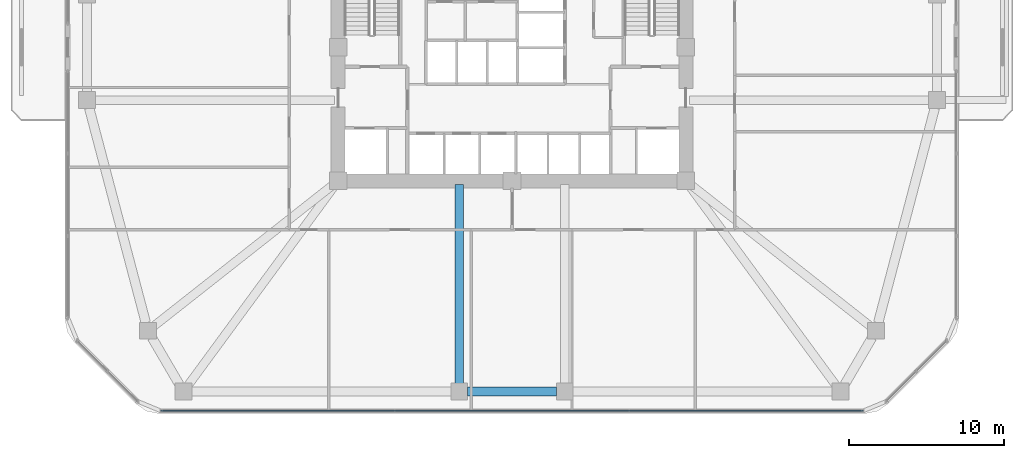
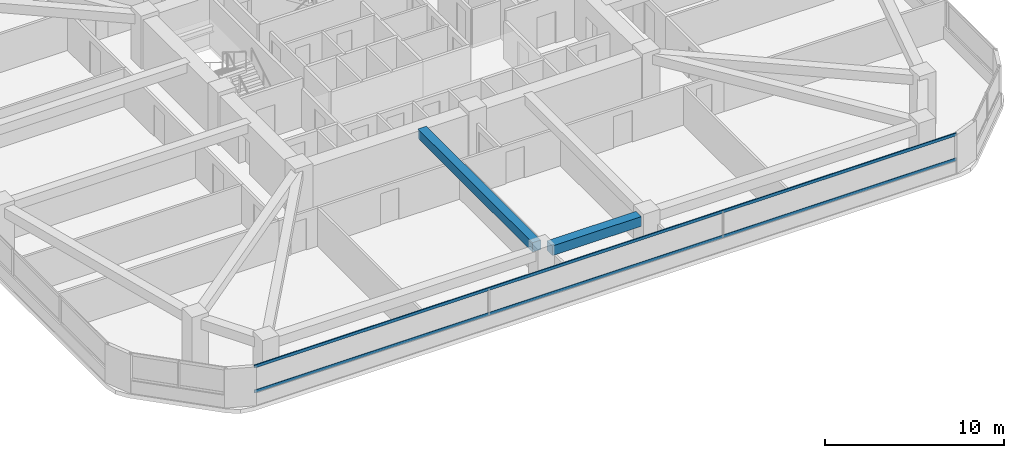
# One storey, part 3 of 15: 2 beams, 2 members, 1 element without a shape of its own.
"""IFC4 building model written with IfcOpenShell, lengths in metres."""

from ifc_helpers import new_model, si_unit, derived_unit, direction, frame, origin, origin_2d, place, context, subcontext, project, spatial, rectangle, extrude, material, material_profile, profile_set, type_object, element, aggregate, save


model = new_model("IFC4")

# Units and contexts
model_context = context("Model", 3, precision=1e-05, world=origin(), true_north=direction((0.0, 1.0)))
body_context = subcontext(model_context, "Body", "Model", "MODEL_VIEW")
ifc_project = project(units=[si_unit("LENGTHUNIT", "METRE"), si_unit("AREAUNIT", "SQUARE_METRE"), si_unit("VOLUMEUNIT", "CUBIC_METRE"), si_unit("PLANEANGLEUNIT", "RADIAN"), si_unit("MASSUNIT", "GRAM", prefix="KILO"), derived_unit("THERMALTRANSMITTANCEUNIT", [(si_unit("POWERUNIT", "WATT"), 1), (si_unit("LENGTHUNIT", "METRE"), -2), (si_unit("THERMODYNAMICTEMPERATUREUNIT", "KELVIN"), -1)])], contexts=[model_context])

# Site, building, storey
site_placement = place(None, origin())
site = spatial("IfcSite", under=ifc_project, at=site_placement, CompositionType="ELEMENT")
building_placement = place(site_placement, origin())
building = spatial("IfcBuilding", under=site, at=building_placement, Name="Koralith Skygarden Medical Center", CompositionType="ELEMENT")
storey_placement = place(building_placement, frame((0.0, 0.0, 56.340087890625)))
storey = spatial("IfcBuildingStorey", under=building, at=storey_placement, Name="L14", CompositionType="ELEMENT", Elevation=56.340087890625)

# Curtain wall, members
ifc_material_1 = material(Name="Clear Laminated Glass", Category="glass")
curtain_wall_type = type_object("IfcCurtainWallType", Name="CW-2 Zone 1 Hurricane Unitised Curtain Wall", PredefinedType="NOTDEFINED", material=ifc_material_1)
curtain_wall_placement = place(storey_placement, origin())
curtain_wall = element("IfcCurtainWall", 1, at=curtain_wall_placement, inside=storey, type_object=curtain_wall_type, Name="Curtain Wall CW-L14-S", PredefinedType="NOTDEFINED")
ifc_material_2 = material(Name="Aluminium 6063-T6", Category="aluminium")
ifc_material_profile_1 = material_profile(ifc_material_2, rectangle(XDim=0.06591796875, YDim=0.197998046875, at=origin_2d()), Name="TRN66X198")
ifc_profile_set_1 = profile_set([ifc_material_profile_1], Name="Aluminium 6063-T6")
member_type = type_object("IfcMemberType", Name="CW-2 Thermal Transom 66x198", PredefinedType="USERDEFINED", material=ifc_profile_set_1)
member_1_placement = place(storey_placement, frame((14.35498046875, 2.47998046875, 0.89990234375), z_axis=(1.0, 0.0, 0.0), x_axis=(0.0, 1.0, 0.0)))
member_1 = element("IfcMember", 2, at=member_1_placement, type_object=member_type, Name="CW-L14-S Transom 1", ObjectType="TRANSOM", PredefinedType="USERDEFINED", context=body_context, shape_type="SweptSolid", body=[
    extrude(rectangle(XDim=0.06591796875, YDim=0.197998046875, at=origin_2d()), origin(), (0.0, 0.0, 1.0), 45.2900390625),
])
member_2_placement = place(storey_placement, frame((14.35498046875, 2.47998046875, 2.599853515625), z_axis=(1.0, 0.0, 0.0), x_axis=(0.0, 1.0, 0.0)))
member_2 = element("IfcMember", 3, at=member_2_placement, type_object=member_type, Name="CW-L14-S Transom 2", ObjectType="TRANSOM", PredefinedType="USERDEFINED", context=body_context, shape_type="SweptSolid", body=[
    extrude(rectangle(XDim=0.06591796875, YDim=0.197998046875, at=origin_2d()), origin(), (0.0, 0.0, 1.0), 45.2900390625),
])
aggregate(curtain_wall, [member_1, member_2])

# Beams
ifc_material_3 = material(Name="Concrete C45/55", Category="concrete")
ifc_material_profile_2 = material_profile(ifc_material_3, rectangle(XDim=0.550048828125, YDim=0.639892578125, at=origin_2d()), Name="RCB550X640")
ifc_profile_set_2 = profile_set([ifc_material_profile_2], Name="Concrete C45/55")
beam_type_1 = type_object("IfcBeamType", Name="Radial Collector Beam RCB550X640", PredefinedType="BEAM", material=ifc_profile_set_2)
beam_1_placement = place(storey_placement, frame((33.60009765625, 17.050048828125, 3.0), z_axis=(0.0, -1.0, 0.0), x_axis=(1.0, 0.0, 0.0)))
element("IfcBeam", 4, at=beam_1_placement, inside=storey, type_object=beam_type_1, Name="L14 Radial Collector Beam RB-04", PredefinedType="BEAM", context=body_context, shape_type="SweptSolid", body=[
    extrude(rectangle(XDim=0.550048828125, YDim=0.639892578125, at=origin_2d()), origin(), (0.0, 0.0, 1.0), 12.800048828125),
])
ifc_material_profile_3 = material_profile(ifc_material_3, rectangle(XDim=0.60009765625, YDim=0.659912109375, at=origin_2d()), Name="RCB600X660")
ifc_profile_set_3 = profile_set([ifc_material_profile_3], Name="Concrete C45/55")
beam_type_2 = type_object("IfcBeamType", Name="Zone 1 Spandrel Beam RCB600X660", PredefinedType="SPANDREL", material=ifc_profile_set_3)
beam_2_placement = place(storey_placement, frame((34.1298828125, 3.719970703125, 2.989990234375), z_axis=(1.0, 0.0, 0.0), x_axis=(0.0, 1.0, 0.0)))
element("IfcBeam", 5, at=beam_2_placement, inside=storey, type_object=beam_type_2, Name="L14 Perimeter Spandrel Beam SP-04", PredefinedType="SPANDREL", context=body_context, shape_type="SweptSolid", body=[
    extrude(rectangle(XDim=0.60009765625, YDim=0.659912109375, at=origin_2d()), origin(), (0.0, 0.0, 1.0), 5.740234375),
])

save(model, "model.ifc")
